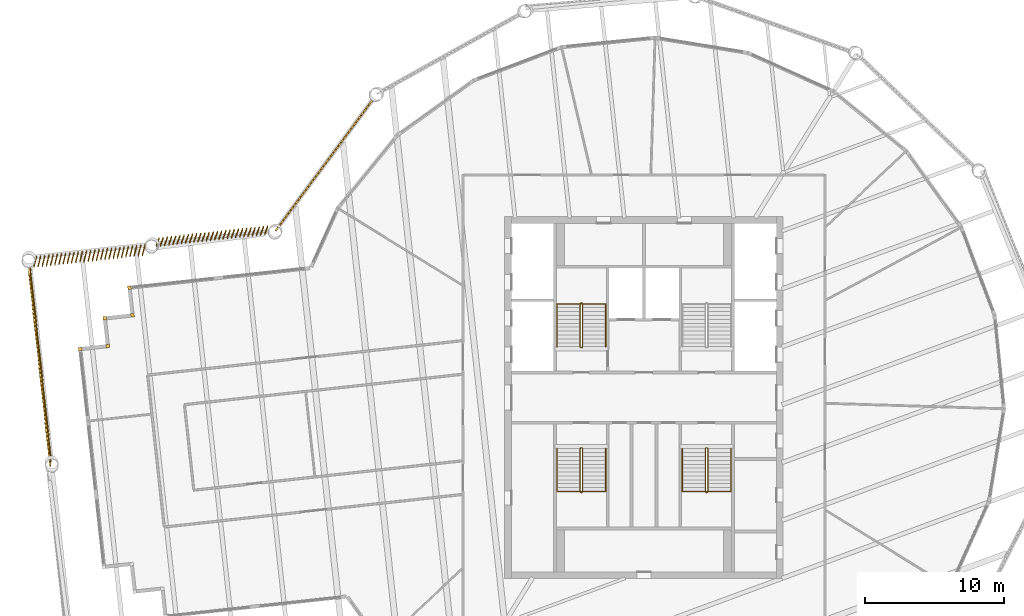
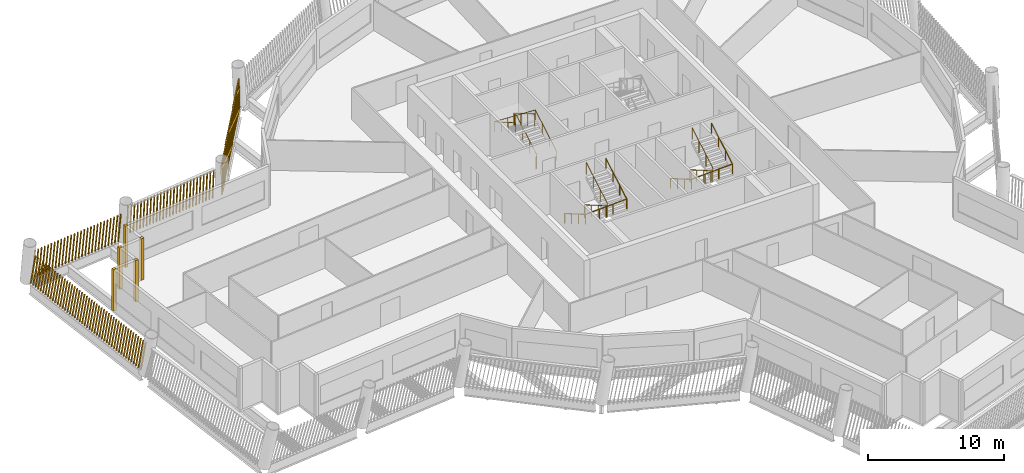
# One storey, part 11 of 14: 9 shading devices, 6 railings.
"""IFC4 building model written with IfcOpenShell, lengths in metres."""

from ifc_helpers import new_model, si_unit, direction, frame, frame_2d, origin, origin_2d, place, context, subcontext, project, spatial, rectangle, circle, composite_profile, extrude, material, type_object, element, save


model = new_model("IFC4")

# Units and contexts
model_context = context("Model", 3, precision=1e-05, world=origin(), true_north=direction((0.0, 1.0)))
body_context = subcontext(model_context, "Body", "Model", "MODEL_VIEW")
ifc_project = project(units=[si_unit("LENGTHUNIT", "METRE"), si_unit("AREAUNIT", "SQUARE_METRE"), si_unit("VOLUMEUNIT", "CUBIC_METRE"), si_unit("PLANEANGLEUNIT", "RADIAN"), si_unit("MASSUNIT", "GRAM", prefix="KILO")], contexts=[model_context])

# Site, building, storey
site_placement = place(None, origin())
site = spatial("IfcSite", under=ifc_project, at=site_placement, CompositionType="ELEMENT")
building_placement = place(site_placement, origin())
building = spatial("IfcBuilding", under=site, at=building_placement, Name="Tarsis Ring Headquarters", CompositionType="ELEMENT")
storey_placement = place(building_placement, frame((0.0, 0.0, 311.89990234375)))
storey = spatial("IfcBuildingStorey", under=building, at=storey_placement, Name="L73", CompositionType="ELEMENT", Elevation=311.89990234375)

# Railings
ifc_material_1 = material(Name="Steel S355", Category="steel")
railing_type_1 = type_object("IfcRailingType", Name="Core stair guard 1100", PredefinedType="GUARDRAIL", material=ifc_material_1)
railing_1_placement = place(storey_placement, frame((-4.5400390625, 3.610107421875, 0.0)))
element("IfcRailing", 1, at=railing_1_placement, inside=storey, type_object=railing_type_1, Name="L73 ST1 stair guard 1", PredefinedType="GUARDRAIL", context=body_context, shape_type="SweptSolid", body=[
    extrude(circle(Radius=0.02392578125, at=origin_2d()), frame((0.0, 0.0, 1.076171875), z_axis=(1.0, 0.0, 0.0), x_axis=(0.0, 1.0, 0.0)), (0.0, 0.0, 1.0), 0.080078125),
    extrude(circle(Radius=0.02392578125, at=origin_2d()), frame((0.080078125, 0.0, 1.076171875), z_axis=(0.282336740067, 0.280959487676, 0.917250092119), x_axis=(-0.705375805398, 0.708833529934, 0.0)), (0.0, 0.0, 1.0), 0.17724609375),
    extrude(circle(Radius=0.02392578125, at=origin_2d()), frame((0.130126953125, 0.0498046875, 1.23876953125), z_axis=(0.0, 0.864890721111, 0.501960198159), x_axis=(-1.0, 0.0, 0.0)), (0.0, 0.0, 1.0), 3.561279296875),
    extrude(circle(Radius=0.02392578125, at=origin_2d()), frame((0.130126953125, 3.1298828125, 3.0263671875), z_axis=(-0.707106781187, 0.707106781187, 0.0), x_axis=(-0.707106781187, -0.707106781187, 0.0)), (0.0, 0.0, 1.0), 0.07080078125),
    extrude(circle(Radius=0.02392578125, at=origin_2d()), frame((0.080078125, 3.179931640625, 3.0263671875), z_axis=(-1.0, 0.0, 0.0), x_axis=(0.0, -1.0, 0.0)), (0.0, 0.0, 1.0), 0.080078125),
    extrude(circle(Radius=0.02392578125, at=origin_2d()), frame((0.0, 3.179931640625, 3.0263671875), z_axis=(-0.282583949758, -0.282583949758, 0.916674763849), x_axis=(0.707106781187, -0.707106781187, 0.0)), (0.0, 0.0, 1.0), 0.177001953125),
    extrude(circle(Radius=0.02392578125, at=origin_2d()), frame((-0.050048828125, 3.1298828125, 3.1884765625), z_axis=(0.0, -0.864890721111, 0.501960198159), x_axis=(1.0, 0.0, 0.0)), (0.0, 0.0, 1.0), 3.561279296875),
    extrude(circle(Radius=0.02099609375, at=origin_2d()), origin(), (0.0, 0.0, 1.0), 1.052001953125),
    extrude(circle(Radius=0.02099609375, at=origin_2d()), frame((0.080078125, 0.0, 0.0)), (0.0, 0.0, 1.0), 1.052001953125),
    extrude(circle(Radius=0.02099609375, at=origin_2d()), frame((0.130126953125, 0.0498046875, 0.16259765625)), (0.0, 0.0, 1.0), 1.052001953125),
    extrude(circle(Radius=0.02099609375, at=origin_2d()), frame((0.130126953125, 1.076416015625, 0.758544921875)), (0.0, 0.0, 1.0), 1.052001953125),
    extrude(circle(Radius=0.02099609375, at=origin_2d()), frame((0.130126953125, 2.103271484375, 1.354248046875)), (0.0, 0.0, 1.0), 1.052001953125),
    extrude(circle(Radius=0.02099609375, at=origin_2d()), frame((0.130126953125, 3.1298828125, 1.9501953125)), (0.0, 0.0, 1.0), 1.052001953125),
    extrude(circle(Radius=0.02099609375, at=origin_2d()), frame((0.080078125, 3.179931640625, 1.9501953125)), (0.0, 0.0, 1.0), 1.052001953125),
    extrude(circle(Radius=0.02099609375, at=origin_2d()), frame((0.0, 3.179931640625, 1.9501953125)), (0.0, 0.0, 1.0), 1.052001953125),
    extrude(circle(Radius=0.02099609375, at=origin_2d()), frame((-0.050048828125, 3.1298828125, 2.112548828125)), (0.0, 0.0, 1.0), 1.052001953125),
    extrude(circle(Radius=0.02099609375, at=origin_2d()), frame((-0.050048828125, 2.103271484375, 2.70849609375)), (0.0, 0.0, 1.0), 1.052001953125),
    extrude(circle(Radius=0.02099609375, at=origin_2d()), frame((-0.050048828125, 1.076416015625, 3.30419921875)), (0.0, 0.0, 1.0), 1.052001953125),
    extrude(circle(Radius=0.02099609375, at=origin_2d()), frame((-0.050048828125, 0.0498046875, 3.900146484375)), (0.0, 0.0, 1.0), 1.052001953125),
])
railing_2_placement = place(storey_placement, frame((-4.4599609375, -3.610107421875, 0.0)))
element("IfcRailing", 2, at=railing_2_placement, inside=storey, type_object=railing_type_1, Name="L73 ST3 stair guard 1", PredefinedType="GUARDRAIL", context=body_context, shape_type="SweptSolid", body=[
    extrude(circle(Radius=0.02392578125, at=origin_2d()), frame((0.0, 0.0, 1.076171875), z_axis=(-1.0, 0.0, 0.0), x_axis=(0.0, -1.0, 0.0)), (0.0, 0.0, 1.0), 0.080078125),
    extrude(circle(Radius=0.02392578125, at=origin_2d()), frame((-0.080078125, 0.0, 1.076171875), z_axis=(-0.282336740067, -0.280959487676, 0.917250092119), x_axis=(0.705375805398, -0.708833529934, 0.0)), (0.0, 0.0, 1.0), 0.17724609375),
    extrude(circle(Radius=0.02392578125, at=origin_2d()), frame((-0.130126953125, -0.0498046875, 1.23876953125), z_axis=(0.0, -0.864890721111, 0.501960198159), x_axis=(1.0, 0.0, 0.0)), (0.0, 0.0, 1.0), 3.561279296875),
    extrude(circle(Radius=0.02392578125, at=origin_2d()), frame((-0.130126953125, -3.1298828125, 3.0263671875), z_axis=(0.707106781187, -0.707106781187, 0.0), x_axis=(0.707106781187, 0.707106781187, 0.0)), (0.0, 0.0, 1.0), 0.07080078125),
    extrude(circle(Radius=0.02392578125, at=origin_2d()), frame((-0.080078125, -3.179931640625, 3.0263671875), z_axis=(1.0, 0.0, 0.0), x_axis=(0.0, 1.0, 0.0)), (0.0, 0.0, 1.0), 0.080078125),
    extrude(circle(Radius=0.02392578125, at=origin_2d()), frame((0.0, -3.179931640625, 3.0263671875), z_axis=(0.282583949758, 0.282583949758, 0.916674763849), x_axis=(-0.707106781187, 0.707106781187, 0.0)), (0.0, 0.0, 1.0), 0.177001953125),
    extrude(circle(Radius=0.02392578125, at=origin_2d()), frame((0.050048828125, -3.1298828125, 3.1884765625), z_axis=(0.0, 0.864890721111, 0.501960198159), x_axis=(-1.0, 0.0, 0.0)), (0.0, 0.0, 1.0), 3.561279296875),
    extrude(circle(Radius=0.02099609375, at=origin_2d()), origin(), (0.0, 0.0, 1.0), 1.052001953125),
    extrude(circle(Radius=0.02099609375, at=origin_2d()), frame((-0.080078125, 0.0, 0.0)), (0.0, 0.0, 1.0), 1.052001953125),
    extrude(circle(Radius=0.02099609375, at=origin_2d()), frame((-0.130126953125, -0.0498046875, 0.16259765625)), (0.0, 0.0, 1.0), 1.052001953125),
    extrude(circle(Radius=0.02099609375, at=origin_2d()), frame((-0.130126953125, -1.076416015625, 0.758544921875)), (0.0, 0.0, 1.0), 1.052001953125),
    extrude(circle(Radius=0.02099609375, at=origin_2d()), frame((-0.130126953125, -2.103271484375, 1.354248046875)), (0.0, 0.0, 1.0), 1.052001953125),
    extrude(circle(Radius=0.02099609375, at=origin_2d()), frame((-0.130126953125, -3.1298828125, 1.9501953125)), (0.0, 0.0, 1.0), 1.052001953125),
    extrude(circle(Radius=0.02099609375, at=origin_2d()), frame((-0.080078125, -3.179931640625, 1.9501953125)), (0.0, 0.0, 1.0), 1.052001953125),
    extrude(circle(Radius=0.02099609375, at=origin_2d()), frame((0.0, -3.179931640625, 1.9501953125)), (0.0, 0.0, 1.0), 1.052001953125),
    extrude(circle(Radius=0.02099609375, at=origin_2d()), frame((0.050048828125, -3.1298828125, 2.112548828125)), (0.0, 0.0, 1.0), 1.052001953125),
    extrude(circle(Radius=0.02099609375, at=origin_2d()), frame((0.050048828125, -2.103271484375, 2.70849609375)), (0.0, 0.0, 1.0), 1.052001953125),
    extrude(circle(Radius=0.02099609375, at=origin_2d()), frame((0.050048828125, -1.076416015625, 3.30419921875)), (0.0, 0.0, 1.0), 1.052001953125),
    extrude(circle(Radius=0.02099609375, at=origin_2d()), frame((0.050048828125, -0.0498046875, 3.900146484375)), (0.0, 0.0, 1.0), 1.052001953125),
])
railing_3_placement = place(storey_placement, frame((4.5400390625, -3.610107421875, 0.0)))
element("IfcRailing", 3, at=railing_3_placement, inside=storey, type_object=railing_type_1, Name="L73 ST4 stair guard 1", PredefinedType="GUARDRAIL", context=body_context, shape_type="SweptSolid", body=[
    extrude(circle(Radius=0.02392578125, at=origin_2d()), frame((0.0, 0.0, 1.076171875), z_axis=(-1.0, 0.0, 0.0), x_axis=(0.0, -1.0, 0.0)), (0.0, 0.0, 1.0), 0.080078125),
    extrude(circle(Radius=0.02392578125, at=origin_2d()), frame((-0.080078125, 0.0, 1.076171875), z_axis=(-0.282336740067, -0.280959487676, 0.917250092119), x_axis=(0.705375805398, -0.708833529934, 0.0)), (0.0, 0.0, 1.0), 0.17724609375),
    extrude(circle(Radius=0.02392578125, at=origin_2d()), frame((-0.130126953125, -0.0498046875, 1.23876953125), z_axis=(0.0, -0.864890721111, 0.501960198159), x_axis=(1.0, 0.0, 0.0)), (0.0, 0.0, 1.0), 3.561279296875),
    extrude(circle(Radius=0.02392578125, at=origin_2d()), frame((-0.130126953125, -3.1298828125, 3.0263671875), z_axis=(0.707106781187, -0.707106781187, 0.0), x_axis=(0.707106781187, 0.707106781187, 0.0)), (0.0, 0.0, 1.0), 0.07080078125),
    extrude(circle(Radius=0.02392578125, at=origin_2d()), frame((-0.080078125, -3.179931640625, 3.0263671875), z_axis=(1.0, 0.0, 0.0), x_axis=(0.0, 1.0, 0.0)), (0.0, 0.0, 1.0), 0.080078125),
    extrude(circle(Radius=0.02392578125, at=origin_2d()), frame((0.0, -3.179931640625, 3.0263671875), z_axis=(0.282583949758, 0.282583949758, 0.916674763849), x_axis=(-0.707106781187, 0.707106781187, 0.0)), (0.0, 0.0, 1.0), 0.177001953125),
    extrude(circle(Radius=0.02392578125, at=origin_2d()), frame((0.050048828125, -3.1298828125, 3.1884765625), z_axis=(0.0, 0.864890721111, 0.501960198159), x_axis=(-1.0, 0.0, 0.0)), (0.0, 0.0, 1.0), 3.561279296875),
    extrude(circle(Radius=0.02099609375, at=origin_2d()), origin(), (0.0, 0.0, 1.0), 1.052001953125),
    extrude(circle(Radius=0.02099609375, at=origin_2d()), frame((-0.080078125, 0.0, 0.0)), (0.0, 0.0, 1.0), 1.052001953125),
    extrude(circle(Radius=0.02099609375, at=origin_2d()), frame((-0.130126953125, -0.0498046875, 0.16259765625)), (0.0, 0.0, 1.0), 1.052001953125),
    extrude(circle(Radius=0.02099609375, at=origin_2d()), frame((-0.130126953125, -1.076416015625, 0.758544921875)), (0.0, 0.0, 1.0), 1.052001953125),
    extrude(circle(Radius=0.02099609375, at=origin_2d()), frame((-0.130126953125, -2.103271484375, 1.354248046875)), (0.0, 0.0, 1.0), 1.052001953125),
    extrude(circle(Radius=0.02099609375, at=origin_2d()), frame((-0.130126953125, -3.1298828125, 1.9501953125)), (0.0, 0.0, 1.0), 1.052001953125),
    extrude(circle(Radius=0.02099609375, at=origin_2d()), frame((-0.080078125, -3.179931640625, 1.9501953125)), (0.0, 0.0, 1.0), 1.052001953125),
    extrude(circle(Radius=0.02099609375, at=origin_2d()), frame((0.0, -3.179931640625, 1.9501953125)), (0.0, 0.0, 1.0), 1.052001953125),
    extrude(circle(Radius=0.02099609375, at=origin_2d()), frame((0.050048828125, -3.1298828125, 2.112548828125)), (0.0, 0.0, 1.0), 1.052001953125),
    extrude(circle(Radius=0.02099609375, at=origin_2d()), frame((0.050048828125, -2.103271484375, 2.70849609375)), (0.0, 0.0, 1.0), 1.052001953125),
    extrude(circle(Radius=0.02099609375, at=origin_2d()), frame((0.050048828125, -1.076416015625, 3.30419921875)), (0.0, 0.0, 1.0), 1.052001953125),
    extrude(circle(Radius=0.02099609375, at=origin_2d()), frame((0.050048828125, -0.0498046875, 3.900146484375)), (0.0, 0.0, 1.0), 1.052001953125),
])
railing_type_2 = type_object("IfcRailingType", Name="Core stair handrail 900", PredefinedType="HANDRAIL", material=ifc_material_1)
railing_4_placement = place(storey_placement, frame((-2.75, 3.659912109375, 0.16259765625)))
element("IfcRailing", 4, at=railing_4_placement, inside=storey, type_object=railing_type_2, Name="L73 ST1 stair handrail 1", PredefinedType="HANDRAIL", context=body_context, shape_type="SweptSolid", body=[
    extrude(circle(Radius=0.02392578125, at=origin_2d()), frame((0.0, 0.0, 0.8759765625), z_axis=(0.0, 0.864890721111, 0.501960198159), x_axis=(-1.0, 0.0, 0.0)), (0.0, 0.0, 1.0), 3.561279296875),
    extrude(circle(Radius=0.02392578125, at=origin_2d()), frame((0.0, 3.080078125, 2.66357421875), z_axis=(-0.998925869279, 0.0, 0.04633689335), x_axis=(0.0, -1.0, 0.0)), (0.0, 0.0, 1.0), 3.503662109375),
    extrude(circle(Radius=0.02392578125, at=origin_2d()), frame((-3.5, 3.080078125, 2.82568359375), z_axis=(0.0, -0.864890721111, 0.501960198159), x_axis=(1.0, 0.0, 0.0)), (0.0, 0.0, 1.0), 3.561279296875),
    extrude(circle(Radius=0.02099609375, at=origin_2d()), origin(), (0.0, 0.0, 1.0), 0.851806640625),
    extrude(circle(Radius=0.02099609375, at=origin_2d()), frame((0.0, 1.026611328125, 0.595947265625)), (0.0, 0.0, 1.0), 0.851806640625),
    extrude(circle(Radius=0.02099609375, at=origin_2d()), frame((0.0, 2.053466796875, 1.191650390625)), (0.0, 0.0, 1.0), 0.851806640625),
    extrude(circle(Radius=0.02099609375, at=origin_2d()), frame((0.0, 3.080078125, 1.78759765625)), (0.0, 0.0, 1.0), 0.851806640625),
    extrude(circle(Radius=0.02099609375, at=origin_2d()), frame((-1.166748046875, 3.080078125, 1.841796875)), (0.0, 0.0, 1.0), 0.851806640625),
    extrude(circle(Radius=0.02099609375, at=origin_2d()), frame((-2.333251953125, 3.080078125, 1.895751953125)), (0.0, 0.0, 1.0), 0.851806640625),
    extrude(circle(Radius=0.02099609375, at=origin_2d()), frame((-3.5, 3.080078125, 1.949951171875)), (0.0, 0.0, 1.0), 0.851806640625),
    extrude(circle(Radius=0.02099609375, at=origin_2d()), frame((-3.5, 2.053466796875, 2.5458984375)), (0.0, 0.0, 1.0), 0.851806640625),
    extrude(circle(Radius=0.02099609375, at=origin_2d()), frame((-3.5, 1.026611328125, 3.1416015625)), (0.0, 0.0, 1.0), 0.851806640625),
    extrude(circle(Radius=0.02099609375, at=origin_2d()), frame((-3.5, 0.0, 3.737548828125)), (0.0, 0.0, 1.0), 0.851806640625),
])
railing_5_placement = place(storey_placement, frame((-6.25, -3.659912109375, 0.16259765625)))
element("IfcRailing", 5, at=railing_5_placement, inside=storey, type_object=railing_type_2, Name="L73 ST3 stair handrail 1", PredefinedType="HANDRAIL", context=body_context, shape_type="SweptSolid", body=[
    extrude(circle(Radius=0.02392578125, at=origin_2d()), frame((0.0, 0.0, 0.8759765625), z_axis=(0.0, -0.864890721111, 0.501960198159), x_axis=(1.0, 0.0, 0.0)), (0.0, 0.0, 1.0), 3.561279296875),
    extrude(circle(Radius=0.02392578125, at=origin_2d()), frame((0.0, -3.080078125, 2.66357421875), z_axis=(0.998925869279, 0.0, 0.04633689335), x_axis=(0.0, 1.0, 0.0)), (0.0, 0.0, 1.0), 3.503662109375),
    extrude(circle(Radius=0.02392578125, at=origin_2d()), frame((3.5, -3.080078125, 2.82568359375), z_axis=(0.0, 0.864890721111, 0.501960198159), x_axis=(-1.0, 0.0, 0.0)), (0.0, 0.0, 1.0), 3.561279296875),
    extrude(circle(Radius=0.02099609375, at=origin_2d()), origin(), (0.0, 0.0, 1.0), 0.851806640625),
    extrude(circle(Radius=0.02099609375, at=origin_2d()), frame((0.0, -1.026611328125, 0.595947265625)), (0.0, 0.0, 1.0), 0.851806640625),
    extrude(circle(Radius=0.02099609375, at=origin_2d()), frame((0.0, -2.053466796875, 1.191650390625)), (0.0, 0.0, 1.0), 0.851806640625),
    extrude(circle(Radius=0.02099609375, at=origin_2d()), frame((0.0, -3.080078125, 1.78759765625)), (0.0, 0.0, 1.0), 0.851806640625),
    extrude(circle(Radius=0.02099609375, at=origin_2d()), frame((1.166748046875, -3.080078125, 1.841796875)), (0.0, 0.0, 1.0), 0.851806640625),
    extrude(circle(Radius=0.02099609375, at=origin_2d()), frame((2.333251953125, -3.080078125, 1.895751953125)), (0.0, 0.0, 1.0), 0.851806640625),
    extrude(circle(Radius=0.02099609375, at=origin_2d()), frame((3.5, -3.080078125, 1.949951171875)), (0.0, 0.0, 1.0), 0.851806640625),
    extrude(circle(Radius=0.02099609375, at=origin_2d()), frame((3.5, -2.053466796875, 2.5458984375)), (0.0, 0.0, 1.0), 0.851806640625),
    extrude(circle(Radius=0.02099609375, at=origin_2d()), frame((3.5, -1.026611328125, 3.1416015625)), (0.0, 0.0, 1.0), 0.851806640625),
    extrude(circle(Radius=0.02099609375, at=origin_2d()), frame((3.5, 0.0, 3.737548828125)), (0.0, 0.0, 1.0), 0.851806640625),
])
railing_6_placement = place(storey_placement, frame((2.75, -3.659912109375, 0.16259765625)))
element("IfcRailing", 6, at=railing_6_placement, inside=storey, type_object=railing_type_2, Name="L73 ST4 stair handrail 1", PredefinedType="HANDRAIL", context=body_context, shape_type="SweptSolid", body=[
    extrude(circle(Radius=0.02392578125, at=origin_2d()), frame((0.0, 0.0, 0.8759765625), z_axis=(0.0, -0.864890721111, 0.501960198159), x_axis=(1.0, 0.0, 0.0)), (0.0, 0.0, 1.0), 3.561279296875),
    extrude(circle(Radius=0.02392578125, at=origin_2d()), frame((0.0, -3.080078125, 2.66357421875), z_axis=(0.998925869279, 0.0, 0.04633689335), x_axis=(0.0, 1.0, 0.0)), (0.0, 0.0, 1.0), 3.503662109375),
    extrude(circle(Radius=0.02392578125, at=origin_2d()), frame((3.5, -3.080078125, 2.82568359375), z_axis=(0.0, 0.864890721111, 0.501960198159), x_axis=(-1.0, 0.0, 0.0)), (0.0, 0.0, 1.0), 3.561279296875),
    extrude(circle(Radius=0.02099609375, at=origin_2d()), origin(), (0.0, 0.0, 1.0), 0.851806640625),
    extrude(circle(Radius=0.02099609375, at=origin_2d()), frame((0.0, -1.026611328125, 0.595947265625)), (0.0, 0.0, 1.0), 0.851806640625),
    extrude(circle(Radius=0.02099609375, at=origin_2d()), frame((0.0, -2.053466796875, 1.191650390625)), (0.0, 0.0, 1.0), 0.851806640625),
    extrude(circle(Radius=0.02099609375, at=origin_2d()), frame((0.0, -3.080078125, 1.78759765625)), (0.0, 0.0, 1.0), 0.851806640625),
    extrude(circle(Radius=0.02099609375, at=origin_2d()), frame((1.166748046875, -3.080078125, 1.841796875)), (0.0, 0.0, 1.0), 0.851806640625),
    extrude(circle(Radius=0.02099609375, at=origin_2d()), frame((2.333251953125, -3.080078125, 1.895751953125)), (0.0, 0.0, 1.0), 0.851806640625),
    extrude(circle(Radius=0.02099609375, at=origin_2d()), frame((3.5, -3.080078125, 1.949951171875)), (0.0, 0.0, 1.0), 0.851806640625),
    extrude(circle(Radius=0.02099609375, at=origin_2d()), frame((3.5, -2.053466796875, 2.5458984375)), (0.0, 0.0, 1.0), 0.851806640625),
    extrude(circle(Radius=0.02099609375, at=origin_2d()), frame((3.5, -1.026611328125, 3.1416015625)), (0.0, 0.0, 1.0), 0.851806640625),
    extrude(circle(Radius=0.02099609375, at=origin_2d()), frame((3.5, 0.0, 3.737548828125)), (0.0, 0.0, 1.0), 0.851806640625),
])

# Shading devices
ifc_material_2 = material(Name="Terracotta baguette", Category="masonry")
shading_device_type_1 = type_object("IfcShadingDeviceType", Name="Terracotta baguette screen", PredefinedType="USERDEFINED", material=ifc_material_2)
shading_device_1_placement = place(storey_placement, frame((-19.45751953125, 21.432373046875, 0.0), z_axis=(0.0, 0.0, 1.0), x_axis=(-0.595680954965, -0.80323385784, 0.0)))
element("IfcShadingDevice", 7, at=shading_device_1_placement, inside=storey, type_object=shading_device_type_1, Name="Baguette screen L73-14", ObjectType="Terracotta baguette screen", PredefinedType="USERDEFINED", context=body_context, shape_type="SweptSolid", body=[
    extrude(composite_profile([rectangle(XDim=0.06005859375, YDim=0.1201171875, at=frame_2d((0.030029296875, 0.0))), rectangle(XDim=0.06005859375, YDim=0.1201171875, at=frame_2d((0.33251953125, 0.0))), rectangle(XDim=0.06005859375, YDim=0.1201171875, at=frame_2d((0.634765625, 0.0))), rectangle(XDim=0.06005859375, YDim=0.1201171875, at=frame_2d((0.937255859375, 0.0))), rectangle(XDim=0.06005859375, YDim=0.1201171875, at=frame_2d((1.239501953125, 0.0))), rectangle(XDim=0.06005859375, YDim=0.1201171875, at=frame_2d((1.5419921875, 0.0))), rectangle(XDim=0.06005859375, YDim=0.1201171875, at=frame_2d((1.844482421875, 0.0))), rectangle(XDim=0.06005859375, YDim=0.1201171875, at=frame_2d((2.146728515625, 0.0))), rectangle(XDim=0.06005859375, YDim=0.1201171875, at=frame_2d((2.44921875, 0.0))), rectangle(XDim=0.06005859375, YDim=0.1201171875, at=frame_2d((2.751708984375, 0.0))), rectangle(XDim=0.06005859375, YDim=0.1201171875, at=frame_2d((3.053955078125, 0.0))), rectangle(XDim=0.06005859375, YDim=0.1201171875, at=frame_2d((3.3564453125, 0.0))), rectangle(XDim=0.06005859375, YDim=0.1201171875, at=frame_2d((3.65869140625, 0.0))), rectangle(XDim=0.06005859375, YDim=0.1201171875, at=frame_2d((3.961181640625, 0.0))), rectangle(XDim=0.06005859375, YDim=0.1201171875, at=frame_2d((4.263671875, 0.0))), rectangle(XDim=0.06005859375, YDim=0.1201171875, at=frame_2d((4.56591796875, 0.0))), rectangle(XDim=0.06005859375, YDim=0.1201171875, at=frame_2d((4.868408203125, 0.0))), rectangle(XDim=0.06005859375, YDim=0.1201171875, at=frame_2d((5.1708984375, 0.0))), rectangle(XDim=0.06005859375, YDim=0.1201171875, at=frame_2d((5.47314453125, 0.0))), rectangle(XDim=0.06005859375, YDim=0.1201171875, at=frame_2d((5.775634765625, 0.0))), rectangle(XDim=0.06005859375, YDim=0.1201171875, at=frame_2d((6.077880859375, 0.0))), rectangle(XDim=0.06005859375, YDim=0.1201171875, at=frame_2d((6.38037109375, 0.0))), rectangle(XDim=0.06005859375, YDim=0.1201171875, at=frame_2d((6.682861328125, 0.0))), rectangle(XDim=0.06005859375, YDim=0.1201171875, at=frame_2d((6.985107421875, 0.0))), rectangle(XDim=0.06005859375, YDim=0.1201171875, at=frame_2d((7.28759765625, 0.0))), rectangle(XDim=0.06005859375, YDim=0.1201171875, at=frame_2d((7.590087890625, 0.0))), rectangle(XDim=0.06005859375, YDim=0.1201171875, at=frame_2d((7.892333984375, 0.0))), rectangle(XDim=0.06005859375, YDim=0.1201171875, at=frame_2d((8.19482421875, 0.0))), rectangle(XDim=0.06005859375, YDim=0.1201171875, at=frame_2d((8.4970703125, 0.0))), rectangle(XDim=0.06005859375, YDim=0.1201171875, at=frame_2d((8.799560546875, 0.0))), rectangle(XDim=0.06005859375, YDim=0.1201171875, at=frame_2d((9.10205078125, 0.0))), rectangle(XDim=0.06005859375, YDim=0.1201171875, at=frame_2d((9.404296875, 0.0))), rectangle(XDim=0.06005859375, YDim=0.1201171875, at=frame_2d((9.706787109375, 0.0))), rectangle(XDim=0.06005859375, YDim=0.1201171875, at=frame_2d((10.00927734375, 0.0))), rectangle(XDim=0.06005859375, YDim=0.1201171875, at=frame_2d((10.3115234375, 0.0))), rectangle(XDim=0.06005859375, YDim=0.1201171875, at=frame_2d((10.614013671875, 0.0))), rectangle(XDim=0.06005859375, YDim=0.1201171875, at=frame_2d((10.916259765625, 0.0))), rectangle(XDim=0.06005859375, YDim=0.1201171875, at=frame_2d((11.21875, 0.0)))]), origin(), (0.171089448, 0.001551276746, 0.985254279018), 3.012451171875),
])
shading_device_2_placement = place(storey_placement, frame((-26.993896484375, 12.31396484375, 0.0), z_axis=(0.0, 0.0, 1.0), x_axis=(-0.994068215522, -0.108687592684, 0.0)))
element("IfcShadingDevice", 8, at=shading_device_2_placement, inside=storey, type_object=shading_device_type_1, Name="Baguette screen L73-15", ObjectType="Terracotta baguette screen", PredefinedType="USERDEFINED", context=body_context, shape_type="SweptSolid", body=[
    extrude(composite_profile([rectangle(XDim=0.06005859375, YDim=0.1201171875, at=frame_2d((0.030029296875, 0.0))), rectangle(XDim=0.06005859375, YDim=0.1201171875, at=frame_2d((0.33154296875, 0.0))), rectangle(XDim=0.06005859375, YDim=0.1201171875, at=frame_2d((0.63330078125, 0.0))), rectangle(XDim=0.06005859375, YDim=0.1201171875, at=frame_2d((0.934814453125, 0.0))), rectangle(XDim=0.06005859375, YDim=0.1201171875, at=frame_2d((1.236572265625, 0.0))), rectangle(XDim=0.06005859375, YDim=0.1201171875, at=frame_2d((1.5380859375, 0.0))), rectangle(XDim=0.06005859375, YDim=0.1201171875, at=frame_2d((1.83984375, 0.0))), rectangle(XDim=0.06005859375, YDim=0.1201171875, at=frame_2d((2.141357421875, 0.0))), rectangle(XDim=0.06005859375, YDim=0.1201171875, at=frame_2d((2.443115234375, 0.0))), rectangle(XDim=0.06005859375, YDim=0.1201171875, at=frame_2d((2.74462890625, 0.0))), rectangle(XDim=0.06005859375, YDim=0.1201171875, at=frame_2d((3.04638671875, 0.0))), rectangle(XDim=0.06005859375, YDim=0.1201171875, at=frame_2d((3.347900390625, 0.0))), rectangle(XDim=0.06005859375, YDim=0.1201171875, at=frame_2d((3.649658203125, 0.0))), rectangle(XDim=0.06005859375, YDim=0.1201171875, at=frame_2d((3.951171875, 0.0))), rectangle(XDim=0.06005859375, YDim=0.1201171875, at=frame_2d((4.252685546875, 0.0))), rectangle(XDim=0.06005859375, YDim=0.1201171875, at=frame_2d((4.554443359375, 0.0))), rectangle(XDim=0.06005859375, YDim=0.1201171875, at=frame_2d((4.85595703125, 0.0))), rectangle(XDim=0.06005859375, YDim=0.1201171875, at=frame_2d((5.15771484375, 0.0))), rectangle(XDim=0.06005859375, YDim=0.1201171875, at=frame_2d((5.459228515625, 0.0))), rectangle(XDim=0.06005859375, YDim=0.1201171875, at=frame_2d((5.760986328125, 0.0))), rectangle(XDim=0.06005859375, YDim=0.1201171875, at=frame_2d((6.0625, 0.0))), rectangle(XDim=0.06005859375, YDim=0.1201171875, at=frame_2d((6.3642578125, 0.0))), rectangle(XDim=0.06005859375, YDim=0.1201171875, at=frame_2d((6.665771484375, 0.0))), rectangle(XDim=0.06005859375, YDim=0.1201171875, at=frame_2d((6.967529296875, 0.0))), rectangle(XDim=0.06005859375, YDim=0.1201171875, at=frame_2d((7.26904296875, 0.0))), rectangle(XDim=0.06005859375, YDim=0.1201171875, at=frame_2d((7.57080078125, 0.0))), rectangle(XDim=0.06005859375, YDim=0.1201171875, at=frame_2d((7.872314453125, 0.0)))]), origin(), (0.089348897392, 0.177315362217, 0.980089810608), 3.0283203125),
])
shading_device_3_placement = place(storey_placement, frame((-35.802734375, 10.973388671875, 0.0), z_axis=(0.0, 0.0, 1.0), x_axis=(-0.994068032255, -0.10869095066, 0.0)))
element("IfcShadingDevice", 9, at=shading_device_3_placement, inside=storey, type_object=shading_device_type_1, Name="Baguette screen L73-16", ObjectType="Terracotta baguette screen", PredefinedType="USERDEFINED", context=body_context, shape_type="SweptSolid", body=[
    extrude(composite_profile([rectangle(XDim=0.06005859375, YDim=0.1201171875, at=frame_2d((0.030029296875, 0.0))), rectangle(XDim=0.06005859375, YDim=0.1201171875, at=frame_2d((0.33154296875, 0.0))), rectangle(XDim=0.06005859375, YDim=0.1201171875, at=frame_2d((0.63330078125, 0.0))), rectangle(XDim=0.06005859375, YDim=0.1201171875, at=frame_2d((0.934814453125, 0.0))), rectangle(XDim=0.06005859375, YDim=0.1201171875, at=frame_2d((1.236572265625, 0.0))), rectangle(XDim=0.06005859375, YDim=0.1201171875, at=frame_2d((1.5380859375, 0.0))), rectangle(XDim=0.06005859375, YDim=0.1201171875, at=frame_2d((1.83984375, 0.0))), rectangle(XDim=0.06005859375, YDim=0.1201171875, at=frame_2d((2.141357421875, 0.0))), rectangle(XDim=0.06005859375, YDim=0.1201171875, at=frame_2d((2.443115234375, 0.0))), rectangle(XDim=0.06005859375, YDim=0.1201171875, at=frame_2d((2.74462890625, 0.0))), rectangle(XDim=0.06005859375, YDim=0.1201171875, at=frame_2d((3.04638671875, 0.0))), rectangle(XDim=0.06005859375, YDim=0.1201171875, at=frame_2d((3.347900390625, 0.0))), rectangle(XDim=0.06005859375, YDim=0.1201171875, at=frame_2d((3.649658203125, 0.0))), rectangle(XDim=0.06005859375, YDim=0.1201171875, at=frame_2d((3.951171875, 0.0))), rectangle(XDim=0.06005859375, YDim=0.1201171875, at=frame_2d((4.252685546875, 0.0))), rectangle(XDim=0.06005859375, YDim=0.1201171875, at=frame_2d((4.554443359375, 0.0))), rectangle(XDim=0.06005859375, YDim=0.1201171875, at=frame_2d((4.85595703125, 0.0))), rectangle(XDim=0.06005859375, YDim=0.1201171875, at=frame_2d((5.15771484375, 0.0))), rectangle(XDim=0.06005859375, YDim=0.1201171875, at=frame_2d((5.459228515625, 0.0))), rectangle(XDim=0.06005859375, YDim=0.1201171875, at=frame_2d((5.760986328125, 0.0))), rectangle(XDim=0.06005859375, YDim=0.1201171875, at=frame_2d((6.0625, 0.0))), rectangle(XDim=0.06005859375, YDim=0.1201171875, at=frame_2d((6.3642578125, 0.0))), rectangle(XDim=0.06005859375, YDim=0.1201171875, at=frame_2d((6.665771484375, 0.0))), rectangle(XDim=0.06005859375, YDim=0.1201171875, at=frame_2d((6.967529296875, 0.0))), rectangle(XDim=0.06005859375, YDim=0.1201171875, at=frame_2d((7.26904296875, 0.0))), rectangle(XDim=0.06005859375, YDim=0.1201171875, at=frame_2d((7.57080078125, 0.0))), rectangle(XDim=0.06005859375, YDim=0.1201171875, at=frame_2d((7.872314453125, 0.0)))]), origin(), (0.085710771124, 0.22823523365, 0.969825933781), 3.060302734375),
])
shading_device_4_placement = place(storey_placement, frame((-44.100830078125, 9.563232421875, 0.0), z_axis=(0.0, 0.0, 1.0), x_axis=(0.108695267581, -0.994073418841, 0.0)))
element("IfcShadingDevice", 10, at=shading_device_4_placement, inside=storey, type_object=shading_device_type_1, Name="Baguette screen L73-17", ObjectType="Terracotta baguette screen", PredefinedType="USERDEFINED", context=body_context, shape_type="SweptSolid", body=[
    extrude(composite_profile([rectangle(XDim=0.06005859375, YDim=0.1201171875, at=frame_2d((0.030029296875, 0.0))), rectangle(XDim=0.06005859375, YDim=0.1201171875, at=frame_2d((0.33544921875, 0.0))), rectangle(XDim=0.06005859375, YDim=0.1201171875, at=frame_2d((0.640625, 0.0))), rectangle(XDim=0.06005859375, YDim=0.1201171875, at=frame_2d((0.946044921875, 0.0))), rectangle(XDim=0.06005859375, YDim=0.1201171875, at=frame_2d((1.25146484375, 0.0))), rectangle(XDim=0.06005859375, YDim=0.1201171875, at=frame_2d((1.556640625, 0.0))), rectangle(XDim=0.06005859375, YDim=0.1201171875, at=frame_2d((1.862060546875, 0.0))), rectangle(XDim=0.06005859375, YDim=0.1201171875, at=frame_2d((2.16748046875, 0.0))), rectangle(XDim=0.06005859375, YDim=0.1201171875, at=frame_2d((2.47265625, 0.0))), rectangle(XDim=0.06005859375, YDim=0.1201171875, at=frame_2d((2.778076171875, 0.0))), rectangle(XDim=0.06005859375, YDim=0.1201171875, at=frame_2d((3.08349609375, 0.0))), rectangle(XDim=0.06005859375, YDim=0.1201171875, at=frame_2d((3.388671875, 0.0))), rectangle(XDim=0.06005859375, YDim=0.1201171875, at=frame_2d((3.694091796875, 0.0))), rectangle(XDim=0.06005859375, YDim=0.1201171875, at=frame_2d((3.99951171875, 0.0))), rectangle(XDim=0.06005859375, YDim=0.1201171875, at=frame_2d((4.3046875, 0.0))), rectangle(XDim=0.06005859375, YDim=0.1201171875, at=frame_2d((4.610107421875, 0.0))), rectangle(XDim=0.06005859375, YDim=0.1201171875, at=frame_2d((4.91552734375, 0.0))), rectangle(XDim=0.06005859375, YDim=0.1201171875, at=frame_2d((5.220703125, 0.0))), rectangle(XDim=0.06005859375, YDim=0.1201171875, at=frame_2d((5.526123046875, 0.0))), rectangle(XDim=0.06005859375, YDim=0.1201171875, at=frame_2d((5.83154296875, 0.0))), rectangle(XDim=0.06005859375, YDim=0.1201171875, at=frame_2d((6.13671875, 0.0))), rectangle(XDim=0.06005859375, YDim=0.1201171875, at=frame_2d((6.442138671875, 0.0))), rectangle(XDim=0.06005859375, YDim=0.1201171875, at=frame_2d((6.74755859375, 0.0))), rectangle(XDim=0.06005859375, YDim=0.1201171875, at=frame_2d((7.052734375, 0.0))), rectangle(XDim=0.06005859375, YDim=0.1201171875, at=frame_2d((7.358154296875, 0.0))), rectangle(XDim=0.06005859375, YDim=0.1201171875, at=frame_2d((7.66357421875, 0.0))), rectangle(XDim=0.06005859375, YDim=0.1201171875, at=frame_2d((7.96875, 0.0))), rectangle(XDim=0.06005859375, YDim=0.1201171875, at=frame_2d((8.274169921875, 0.0))), rectangle(XDim=0.06005859375, YDim=0.1201171875, at=frame_2d((8.57958984375, 0.0))), rectangle(XDim=0.06005859375, YDim=0.1201171875, at=frame_2d((8.884765625, 0.0))), rectangle(XDim=0.06005859375, YDim=0.1201171875, at=frame_2d((9.190185546875, 0.0))), rectangle(XDim=0.06005859375, YDim=0.1201171875, at=frame_2d((9.49560546875, 0.0))), rectangle(XDim=0.06005859375, YDim=0.1201171875, at=frame_2d((9.80078125, 0.0))), rectangle(XDim=0.06005859375, YDim=0.1201171875, at=frame_2d((10.106201171875, 0.0))), rectangle(XDim=0.06005859375, YDim=0.1201171875, at=frame_2d((10.41162109375, 0.0))), rectangle(XDim=0.06005859375, YDim=0.1201171875, at=frame_2d((10.716796875, 0.0))), rectangle(XDim=0.06005859375, YDim=0.1201171875, at=frame_2d((11.022216796875, 0.0))), rectangle(XDim=0.06005859375, YDim=0.1201171875, at=frame_2d((11.32763671875, 0.0))), rectangle(XDim=0.06005859375, YDim=0.1201171875, at=frame_2d((11.6328125, 0.0))), rectangle(XDim=0.06005859375, YDim=0.1201171875, at=frame_2d((11.938232421875, 0.0))), rectangle(XDim=0.06005859375, YDim=0.1201171875, at=frame_2d((12.24365234375, 0.0))), rectangle(XDim=0.06005859375, YDim=0.1201171875, at=frame_2d((12.548828125, 0.0))), rectangle(XDim=0.06005859375, YDim=0.1201171875, at=frame_2d((12.854248046875, 0.0))), rectangle(XDim=0.06005859375, YDim=0.1201171875, at=frame_2d((13.15966796875, 0.0))), rectangle(XDim=0.06005859375, YDim=0.1201171875, at=frame_2d((13.46484375, 0.0))), rectangle(XDim=0.06005859375, YDim=0.1201171875, at=frame_2d((13.770263671875, 0.0)))]), origin(), (0.253360412347, -0.041441351497, 0.966483893214), 3.071044921875),
])
shading_device_type_2 = type_object("IfcShadingDeviceType", Name="Terracotta corner baguette 250x250", PredefinedType="USERDEFINED", material=ifc_material_2)
for number, where, z_axis, x_axis, name in (
    (11, (-36.953125, 7.9052734375, 0.0), (0.0, 0.0, 1.0), (-0.994075318245, -0.108693429684, 0.0), "Corner baguette L73-32"),
    (12, (-36.73583984375, 5.917236328125, 0.0), (0.0, 0.0, 1.0), (0.108692978587, -0.994075367568, 0.0), "Corner baguette L73-33"),
    (13, (-38.723876953125, 5.69970703125, 0.0), (0.0, 0.0, 1.0), (-0.994075306862, -0.108693533783, 0.0), "Corner baguette L73-34"),
    (14, (-38.506591796875, 3.711669921875, 0.0), (0.0, 0.0, 1.0), (0.108693533783, -0.994075306862, 0.0), "Corner baguette L73-35"),
    (15, (-40.49462890625, 3.494140625, 0.0), (0.0, 0.0, 1.0), (-0.994075367568, -0.108692978587, 0.0), "Corner baguette L73-36"),
):
    element("IfcShadingDevice", number, at=place(storey_placement, frame(where, z_axis=z_axis, x_axis=x_axis)), inside=storey, type_object=shading_device_type_2, Name=name, ObjectType="Terracotta corner baguette", PredefinedType="USERDEFINED", context=body_context, shape_type="SweptSolid", body=[
        extrude(rectangle(XDim=0.25, YDim=0.25, at=origin_2d()), origin(), (0.0, 0.0, 1.0), 3.739990234375),
    ])

save(model, "model.ifc")
